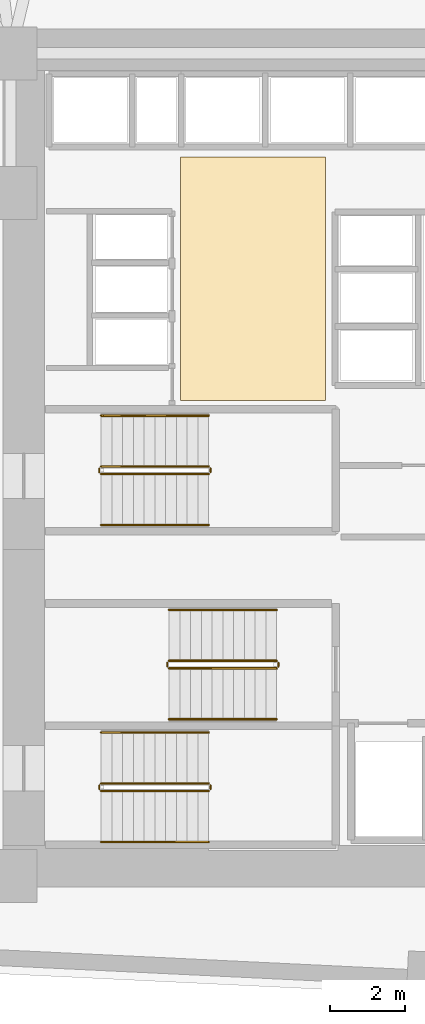
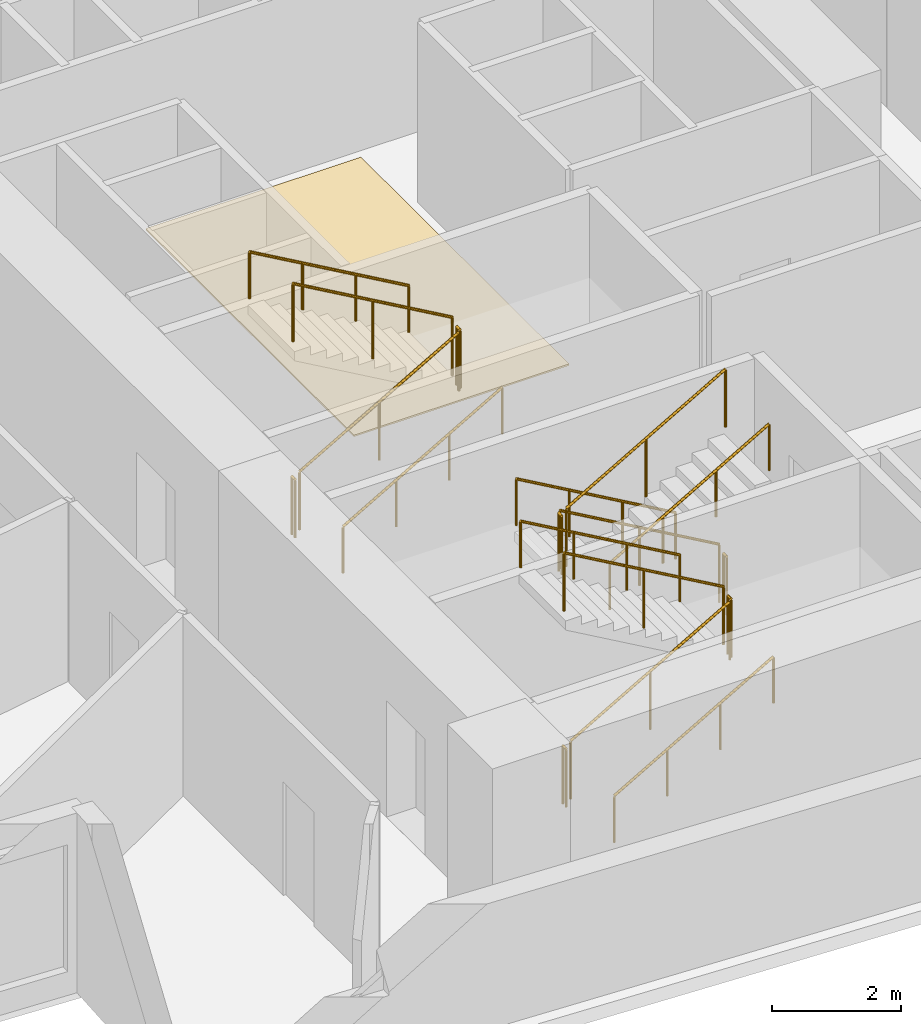
# One storey, part 16 of 17: 18 railings, 1 covering.
"""IFC4 building model written with IfcOpenShell, lengths in metres."""

from ifc_helpers import new_model, si_unit, direction, frame, origin, origin_2d, place, context, subcontext, project, spatial, polyline, circle, outline, extrude, material, layer, layer_set, type_object, element, save


model = new_model("IFC4")

# Units and contexts
model_context = context("Model", 3, precision=1e-05, world=origin(), true_north=direction((0.0, 1.0)))
body_context = subcontext(model_context, "Body", "Model", "MODEL_VIEW")
ifc_project = project(units=[si_unit("LENGTHUNIT", "METRE"), si_unit("AREAUNIT", "SQUARE_METRE"), si_unit("VOLUMEUNIT", "CUBIC_METRE"), si_unit("PLANEANGLEUNIT", "RADIAN"), si_unit("MASSUNIT", "GRAM", prefix="KILO")], contexts=[model_context])

# Site, building, storey
site_placement = place(None, origin())
site = spatial("IfcSite", under=ifc_project, at=site_placement, CompositionType="ELEMENT")
building_placement = place(site_placement, origin())
building = spatial("IfcBuilding", under=site, at=building_placement, Name="Narakoshi Arena Tower", CompositionType="ELEMENT")
storey_placement = place(building_placement, frame((0.0, 0.0, 37.5)))
storey = spatial("IfcBuildingStorey", under=building, at=storey_placement, Name="L09", CompositionType="ELEMENT", Elevation=37.5)

# Covering
ifc_material_1 = material(Name="Honed granite stone paving", Category="masonry")
ifc_layer = layer(ifc_material_1, 0.030029296875)
ifc_layer_set = layer_set([ifc_layer], Name="Honed granite stone paving")
covering_type = type_object("IfcCoveringType", Name="COV-FLR-ST30", PredefinedType="FLOORING", material=ifc_layer_set)
covering_placement = place(storey_placement, origin())
element("IfcCovering", 1, at=covering_placement, inside=storey, type_object=covering_type, Name="L09 Lift Lobby Granite Flooring", PredefinedType="FLOORING", context=body_context, shape_type="SweptSolid", body=[
    extrude(outline(polyline([(76.5, 47.300048828125), (80.35009765625, 47.300048828125), (80.35009765625, 53.75), (76.5, 53.75), (76.5, 47.300048828125)])), origin(), (0.0, 0.0, 1.0), 0.030029296875),
])

# Railings
ifc_material_2 = material(Name="Clear low-iron laminated structural glass", Category="glass")
railing_type_1 = type_object("IfcRailingType", Name="RL-BAL-1100", PredefinedType="BALUSTRADE", material=ifc_material_2)
railing_1_placement = place(storey_placement, frame((74.39990234375, 36.949951171875, 0.16357421875)))
element("IfcRailing", 2, at=railing_1_placement, inside=storey, type_object=railing_type_1, Name="L09 ST1 stair guard 1", PredefinedType="BALUSTRADE", context=body_context, shape_type="SweptSolid", body=[
    extrude(circle(Radius=0.02392578125, at=origin_2d()), frame((0.0, 0.0, 1.09619140625), z_axis=(0.86721270334, 0.0, 0.497937874806), x_axis=(0.0, 1.0, 0.0)), (0.0, 0.0, 1.0), 3.28662109375),
    extrude(circle(Radius=0.02099609375, at=origin_2d()), origin(), (0.0, 0.0, 1.0), 1.072021484375),
    extrude(circle(Radius=0.02099609375, at=origin_2d()), frame((1.425048828125, 0.0, 0.818359375)), (0.0, 0.0, 1.0), 1.072021484375),
    extrude(circle(Radius=0.02099609375, at=origin_2d()), frame((2.85009765625, 0.0, 1.636474609375)), (0.0, 0.0, 1.0), 1.072021484375),
])
railing_2_placement = place(storey_placement, frame((77.300048828125, 37.0, 1.800048828125)))
element("IfcRailing", 3, at=railing_2_placement, inside=storey, type_object=railing_type_1, Name="L09 ST1 stair guard 2", PredefinedType="BALUSTRADE", context=body_context, shape_type="SweptSolid", body=[
    extrude(circle(Radius=0.02392578125, at=origin_2d()), frame((0.0, 0.0, 1.09619140625), z_axis=(0.0, 1.0, 0.0), x_axis=(-1.0, 0.0, 0.0)), (0.0, 0.0, 1.0), 0.10009765625),
    extrude(circle(Radius=0.02099609375, at=origin_2d()), origin(), (0.0, 0.0, 1.0), 1.072021484375),
    extrude(circle(Radius=0.02099609375, at=origin_2d()), frame((0.0, 0.10009765625, 0.0)), (0.0, 0.0, 1.0), 1.072021484375),
])
railing_3_placement = place(storey_placement, frame((77.25, 37.14990234375, 1.963623046875)))
element("IfcRailing", 4, at=railing_3_placement, inside=storey, type_object=railing_type_1, Name="L09 ST1 stair guard 3", PredefinedType="BALUSTRADE", context=body_context, shape_type="SweptSolid", body=[
    extrude(circle(Radius=0.02392578125, at=origin_2d()), frame((0.0, 0.0, 1.09619140625), z_axis=(-0.86721270334, 0.0, 0.497937874806), x_axis=(0.0, -1.0, 0.0)), (0.0, 0.0, 1.0), 3.28662109375),
    extrude(circle(Radius=0.02099609375, at=origin_2d()), origin(), (0.0, 0.0, 1.0), 1.072021484375),
    extrude(circle(Radius=0.02099609375, at=origin_2d()), frame((-1.425048828125, 0.0, 0.818359375)), (0.0, 0.0, 1.0), 1.072021484375),
    extrude(circle(Radius=0.02099609375, at=origin_2d()), frame((-2.85009765625, 0.0, 1.636474609375)), (0.0, 0.0, 1.0), 1.072021484375),
])
railing_4_placement = place(storey_placement, frame((74.35009765625, 37.0, 0.0)))
element("IfcRailing", 5, at=railing_4_placement, inside=storey, type_object=railing_type_1, Name="L09 ST1 stair guard 4", PredefinedType="BALUSTRADE", context=body_context, shape_type="SweptSolid", body=[
    extrude(circle(Radius=0.02392578125, at=origin_2d()), frame((0.0, 0.0, 1.09619140625), z_axis=(0.0, 1.0, 0.0), x_axis=(-1.0, 0.0, 0.0)), (0.0, 0.0, 1.0), 0.10009765625),
    extrude(circle(Radius=0.02099609375, at=origin_2d()), origin(), (0.0, 0.0, 1.0), 1.072021484375),
    extrude(circle(Radius=0.02099609375, at=origin_2d()), frame((0.0, 0.10009765625, 0.0)), (0.0, 0.0, 1.0), 1.072021484375),
])
railing_5_placement = place(storey_placement, frame((79.050048828125, 40.39990234375, 0.16357421875)))
element("IfcRailing", 6, at=railing_5_placement, inside=storey, type_object=railing_type_1, Name="L09 ST2 stair guard 1", PredefinedType="BALUSTRADE", context=body_context, shape_type="SweptSolid", body=[
    extrude(circle(Radius=0.02392578125, at=origin_2d()), frame((0.0, 0.0, 1.09619140625), z_axis=(-0.86721270334, 0.0, 0.497937874806), x_axis=(0.0, -1.0, 0.0)), (0.0, 0.0, 1.0), 3.28662109375),
    extrude(circle(Radius=0.02099609375, at=origin_2d()), origin(), (0.0, 0.0, 1.0), 1.072021484375),
    extrude(circle(Radius=0.02099609375, at=origin_2d()), frame((-1.425048828125, 0.0, 0.818359375)), (0.0, 0.0, 1.0), 1.072021484375),
    extrude(circle(Radius=0.02099609375, at=origin_2d()), frame((-2.85009765625, 0.0, 1.636474609375)), (0.0, 0.0, 1.0), 1.072021484375),
])
railing_6_placement = place(storey_placement, frame((76.14990234375, 40.35009765625, 1.800048828125)))
element("IfcRailing", 7, at=railing_6_placement, inside=storey, type_object=railing_type_1, Name="L09 ST2 stair guard 2", PredefinedType="BALUSTRADE", context=body_context, shape_type="SweptSolid", body=[
    extrude(circle(Radius=0.02392578125, at=origin_2d()), frame((0.0, 0.0, 1.09619140625), z_axis=(0.0, -1.0, 0.0), x_axis=(1.0, 0.0, 0.0)), (0.0, 0.0, 1.0), 0.10009765625),
    extrude(circle(Radius=0.02099609375, at=origin_2d()), origin(), (0.0, 0.0, 1.0), 1.072021484375),
    extrude(circle(Radius=0.02099609375, at=origin_2d()), frame((0.0, -0.10009765625, 0.0)), (0.0, 0.0, 1.0), 1.072021484375),
])
railing_7_placement = place(storey_placement, frame((76.199951171875, 40.199951171875, 1.963623046875)))
element("IfcRailing", 8, at=railing_7_placement, inside=storey, type_object=railing_type_1, Name="L09 ST2 stair guard 3", PredefinedType="BALUSTRADE", context=body_context, shape_type="SweptSolid", body=[
    extrude(circle(Radius=0.02392578125, at=origin_2d()), frame((0.0, 0.0, 1.09619140625), z_axis=(0.86721270334, 0.0, 0.497937874806), x_axis=(0.0, 1.0, 0.0)), (0.0, 0.0, 1.0), 3.28662109375),
    extrude(circle(Radius=0.02099609375, at=origin_2d()), origin(), (0.0, 0.0, 1.0), 1.072021484375),
    extrude(circle(Radius=0.02099609375, at=origin_2d()), frame((1.425048828125, 0.0, 0.818359375)), (0.0, 0.0, 1.0), 1.072021484375),
    extrude(circle(Radius=0.02099609375, at=origin_2d()), frame((2.85009765625, 0.0, 1.636474609375)), (0.0, 0.0, 1.0), 1.072021484375),
])
railing_8_placement = place(storey_placement, frame((79.10009765625, 40.35009765625, 0.0)))
element("IfcRailing", 9, at=railing_8_placement, inside=storey, type_object=railing_type_1, Name="L09 ST2 stair guard 4", PredefinedType="BALUSTRADE", context=body_context, shape_type="SweptSolid", body=[
    extrude(circle(Radius=0.02392578125, at=origin_2d()), frame((0.0, 0.0, 1.09619140625), z_axis=(0.0, -1.0, 0.0), x_axis=(1.0, 0.0, 0.0)), (0.0, 0.0, 1.0), 0.10009765625),
    extrude(circle(Radius=0.02099609375, at=origin_2d()), origin(), (0.0, 0.0, 1.0), 1.072021484375),
    extrude(circle(Radius=0.02099609375, at=origin_2d()), frame((0.0, -0.10009765625, 0.0)), (0.0, 0.0, 1.0), 1.072021484375),
])
railing_9_placement = place(storey_placement, frame((74.39990234375, 45.35009765625, 0.16357421875)))
element("IfcRailing", 10, at=railing_9_placement, inside=storey, type_object=railing_type_1, Name="L09 ST3 stair guard 1", PredefinedType="BALUSTRADE", context=body_context, shape_type="SweptSolid", body=[
    extrude(circle(Radius=0.02392578125, at=origin_2d()), frame((0.0, 0.0, 1.09619140625), z_axis=(0.86721270334, 0.0, 0.497937874806), x_axis=(0.0, 1.0, 0.0)), (0.0, 0.0, 1.0), 3.28662109375),
    extrude(circle(Radius=0.02099609375, at=origin_2d()), origin(), (0.0, 0.0, 1.0), 1.072021484375),
    extrude(circle(Radius=0.02099609375, at=origin_2d()), frame((1.425048828125, 0.0, 0.818359375)), (0.0, 0.0, 1.0), 1.072021484375),
    extrude(circle(Radius=0.02099609375, at=origin_2d()), frame((2.85009765625, 0.0, 1.636474609375)), (0.0, 0.0, 1.0), 1.072021484375),
])
railing_10_placement = place(storey_placement, frame((77.300048828125, 45.39990234375, 1.800048828125)))
element("IfcRailing", 11, at=railing_10_placement, inside=storey, type_object=railing_type_1, Name="L09 ST3 stair guard 2", PredefinedType="BALUSTRADE", context=body_context, shape_type="SweptSolid", body=[
    extrude(circle(Radius=0.02392578125, at=origin_2d()), frame((0.0, 0.0, 1.09619140625), z_axis=(0.0, 1.0, 0.0), x_axis=(-1.0, 0.0, 0.0)), (0.0, 0.0, 1.0), 0.10009765625),
    extrude(circle(Radius=0.02099609375, at=origin_2d()), origin(), (0.0, 0.0, 1.0), 1.072021484375),
    extrude(circle(Radius=0.02099609375, at=origin_2d()), frame((0.0, 0.10009765625, 0.0)), (0.0, 0.0, 1.0), 1.072021484375),
])
railing_11_placement = place(storey_placement, frame((77.25, 45.550048828125, 1.963623046875)))
element("IfcRailing", 12, at=railing_11_placement, inside=storey, type_object=railing_type_1, Name="L09 ST3 stair guard 3", PredefinedType="BALUSTRADE", context=body_context, shape_type="SweptSolid", body=[
    extrude(circle(Radius=0.02392578125, at=origin_2d()), frame((0.0, 0.0, 1.09619140625), z_axis=(-0.86721270334, 0.0, 0.497937874806), x_axis=(0.0, -1.0, 0.0)), (0.0, 0.0, 1.0), 3.28662109375),
    extrude(circle(Radius=0.02099609375, at=origin_2d()), origin(), (0.0, 0.0, 1.0), 1.072021484375),
    extrude(circle(Radius=0.02099609375, at=origin_2d()), frame((-1.425048828125, 0.0, 0.818359375)), (0.0, 0.0, 1.0), 1.072021484375),
    extrude(circle(Radius=0.02099609375, at=origin_2d()), frame((-2.85009765625, 0.0, 1.636474609375)), (0.0, 0.0, 1.0), 1.072021484375),
])
railing_12_placement = place(storey_placement, frame((74.35009765625, 45.39990234375, 0.0)))
element("IfcRailing", 13, at=railing_12_placement, inside=storey, type_object=railing_type_1, Name="L09 ST3 stair guard 4", PredefinedType="BALUSTRADE", context=body_context, shape_type="SweptSolid", body=[
    extrude(circle(Radius=0.02392578125, at=origin_2d()), frame((0.0, 0.0, 1.09619140625), z_axis=(0.0, 1.0, 0.0), x_axis=(-1.0, 0.0, 0.0)), (0.0, 0.0, 1.0), 0.10009765625),
    extrude(circle(Radius=0.02099609375, at=origin_2d()), origin(), (0.0, 0.0, 1.0), 1.072021484375),
    extrude(circle(Radius=0.02099609375, at=origin_2d()), frame((0.0, 0.10009765625, 0.0)), (0.0, 0.0, 1.0), 1.072021484375),
])
ifc_material_3 = material(Name="Brushed bronze stainless steel", Category="steel")
railing_type_2 = type_object("IfcRailingType", Name="RL-HND-900", PredefinedType="HANDRAIL", material=ifc_material_3)
railing_13_placement = place(storey_placement, frame((74.39990234375, 35.60009765625, 0.16357421875)))
element("IfcRailing", 14, at=railing_13_placement, inside=storey, type_object=railing_type_2, Name="L09 ST1 stair handrail 1", PredefinedType="HANDRAIL", context=body_context, shape_type="SweptSolid", body=[
    extrude(circle(Radius=0.02392578125, at=origin_2d()), frame((0.0, 0.0, 0.8759765625), z_axis=(0.86721270334, 0.0, 0.497937874806), x_axis=(0.0, 1.0, 0.0)), (0.0, 0.0, 1.0), 3.28662109375),
    extrude(circle(Radius=0.02099609375, at=origin_2d()), origin(), (0.0, 0.0, 1.0), 0.851806640625),
    extrude(circle(Radius=0.02099609375, at=origin_2d()), frame((0.949951171875, 0.0, 0.54541015625)), (0.0, 0.0, 1.0), 0.851806640625),
    extrude(circle(Radius=0.02099609375, at=origin_2d()), frame((1.900146484375, 0.0, 1.091064453125)), (0.0, 0.0, 1.0), 0.851806640625),
    extrude(circle(Radius=0.02099609375, at=origin_2d()), frame((2.85009765625, 0.0, 1.636474609375)), (0.0, 0.0, 1.0), 0.851806640625),
])
for number, where, name in (
    (15, (77.25, 38.5, 1.963623046875), "L09 ST1 stair handrail 2"),
    (16, (79.050048828125, 41.75, 0.16357421875), "L09 ST2 stair handrail 1"),
):
    element("IfcRailing", number, at=place(storey_placement, frame(where)), inside=storey, type_object=railing_type_2, Name=name, PredefinedType="HANDRAIL", context=body_context, shape_type="SweptSolid", body=[
        extrude(circle(Radius=0.02392578125, at=origin_2d()), frame((0.0, 0.0, 0.8759765625), z_axis=(-0.86721270334, 0.0, 0.497937874806), x_axis=(0.0, -1.0, 0.0)), (0.0, 0.0, 1.0), 3.28662109375),
        extrude(circle(Radius=0.02099609375, at=origin_2d()), origin(), (0.0, 0.0, 1.0), 0.851806640625),
        extrude(circle(Radius=0.02099609375, at=origin_2d()), frame((-0.949951171875, 0.0, 0.54541015625)), (0.0, 0.0, 1.0), 0.851806640625),
        extrude(circle(Radius=0.02099609375, at=origin_2d()), frame((-1.900146484375, 0.0, 1.091064453125)), (0.0, 0.0, 1.0), 0.851806640625),
        extrude(circle(Radius=0.02099609375, at=origin_2d()), frame((-2.85009765625, 0.0, 1.636474609375)), (0.0, 0.0, 1.0), 0.851806640625),
    ])
for number, where, name in (
    (17, (76.199951171875, 38.85009765625, 1.963623046875), "L09 ST2 stair handrail 2"),
    (18, (74.39990234375, 44.0, 0.16357421875), "L09 ST3 stair handrail 1"),
):
    element("IfcRailing", number, at=place(storey_placement, frame(where)), inside=storey, type_object=railing_type_2, Name=name, PredefinedType="HANDRAIL", context=body_context, shape_type="SweptSolid", body=[
        extrude(circle(Radius=0.02392578125, at=origin_2d()), frame((0.0, 0.0, 0.8759765625), z_axis=(0.86721270334, 0.0, 0.497937874806), x_axis=(0.0, 1.0, 0.0)), (0.0, 0.0, 1.0), 3.28662109375),
        extrude(circle(Radius=0.02099609375, at=origin_2d()), origin(), (0.0, 0.0, 1.0), 0.851806640625),
        extrude(circle(Radius=0.02099609375, at=origin_2d()), frame((0.949951171875, 0.0, 0.54541015625)), (0.0, 0.0, 1.0), 0.851806640625),
        extrude(circle(Radius=0.02099609375, at=origin_2d()), frame((1.900146484375, 0.0, 1.091064453125)), (0.0, 0.0, 1.0), 0.851806640625),
        extrude(circle(Radius=0.02099609375, at=origin_2d()), frame((2.85009765625, 0.0, 1.636474609375)), (0.0, 0.0, 1.0), 0.851806640625),
    ])
railing_14_placement = place(storey_placement, frame((77.25, 46.89990234375, 1.963623046875)))
element("IfcRailing", 19, at=railing_14_placement, inside=storey, type_object=railing_type_2, Name="L09 ST3 stair handrail 2", PredefinedType="HANDRAIL", context=body_context, shape_type="SweptSolid", body=[
    extrude(circle(Radius=0.02392578125, at=origin_2d()), frame((0.0, 0.0, 0.8759765625), z_axis=(-0.86721270334, 0.0, 0.497937874806), x_axis=(0.0, -1.0, 0.0)), (0.0, 0.0, 1.0), 3.28662109375),
    extrude(circle(Radius=0.02099609375, at=origin_2d()), origin(), (0.0, 0.0, 1.0), 0.851806640625),
    extrude(circle(Radius=0.02099609375, at=origin_2d()), frame((-0.949951171875, 0.0, 0.54541015625)), (0.0, 0.0, 1.0), 0.851806640625),
    extrude(circle(Radius=0.02099609375, at=origin_2d()), frame((-1.900146484375, 0.0, 1.091064453125)), (0.0, 0.0, 1.0), 0.851806640625),
    extrude(circle(Radius=0.02099609375, at=origin_2d()), frame((-2.85009765625, 0.0, 1.636474609375)), (0.0, 0.0, 1.0), 0.851806640625),
])

save(model, "model.ifc")
